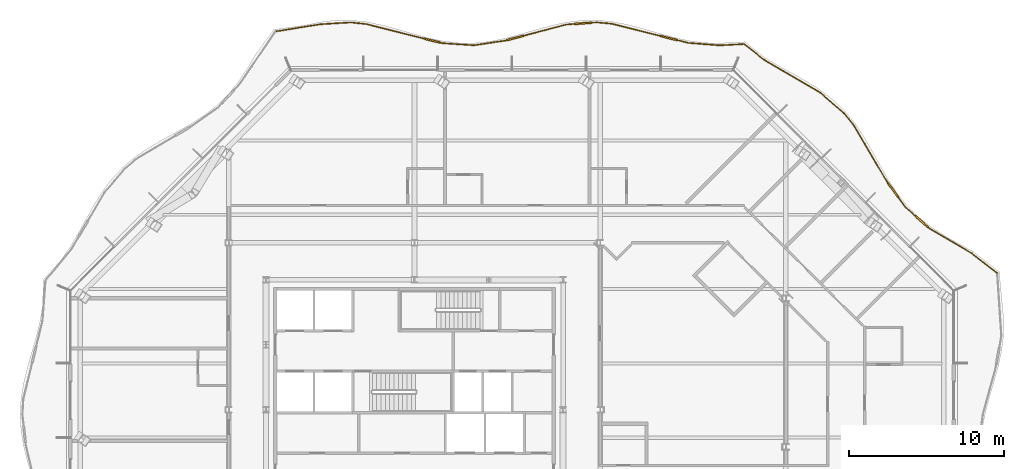
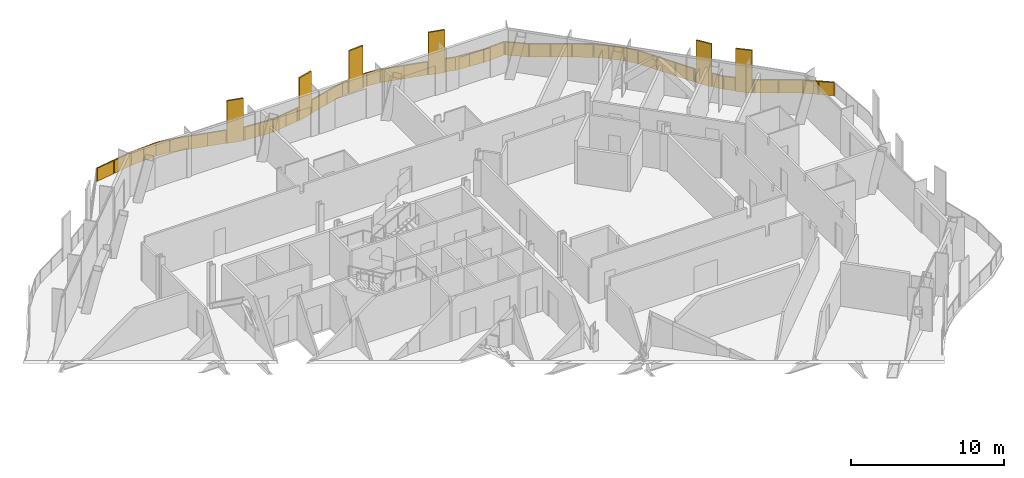
# One storey, part 19 of 19: 2 railings.
"""IFC4 building model written with IfcOpenShell, lengths in metres."""

from ifc_helpers import new_model, si_unit, direction, frame, origin, origin_2d, place, context, subcontext, project, spatial, polyline, rectangle, outline, extrude, material, type_object, element, save


model = new_model("IFC4")

# Units and contexts
model_context = context("Model", 3, precision=1e-05, world=origin(), true_north=direction((0.0, 1.0)))
body_context = subcontext(model_context, "Body", "Model", "MODEL_VIEW")
ifc_project = project(units=[si_unit("LENGTHUNIT", "METRE"), si_unit("AREAUNIT", "SQUARE_METRE"), si_unit("VOLUMEUNIT", "CUBIC_METRE"), si_unit("PLANEANGLEUNIT", "RADIAN"), si_unit("MASSUNIT", "GRAM", prefix="KILO")], contexts=[model_context])

# Site, building, storey
site_placement = place(None, origin())
site = spatial("IfcSite", under=ifc_project, at=site_placement, CompositionType="ELEMENT")
building_placement = place(site_placement, origin())
building = spatial("IfcBuilding", under=site, at=building_placement, Name="Cairn Pilgrim Tower", CompositionType="ELEMENT")
storey_placement = place(building_placement, frame((0.0, 0.0, 193.800048828125)))
storey = spatial("IfcBuildingStorey", under=building, at=storey_placement, Name="L49", CompositionType="ELEMENT", Elevation=193.800048828125)

# Railings
ifc_material = material(Name="Bronze anodised aluminium rail, posts and fin screens with laminated glass infill", Category="aluminium")
railing_type = type_object("IfcRailingType", Name="BALCONY GUARD WITH FIN SCREENS", PredefinedType="GUARDRAIL", material=ifc_material)
railing_1_placement = place(storey_placement, frame((44.85400390625, 11.240966796875, 0.0)))
element("IfcRailing", 1, at=railing_1_placement, inside=storey, type_object=railing_type, Name="Balcony guard BGF-4 with fin screens", PredefinedType="GUARDRAIL", context=body_context, shape_type="SweptSolid", body=[
    extrude(rectangle(XDim=0.050048828125, YDim=0.050048828125, at=origin_2d()), frame((0.0, 0.0, 1.0751953125), z_axis=(-0.789984986804, 0.613126186543, 0.0), x_axis=(-0.613126186543, -0.789984986804, 0.0)), (0.0, 0.0, 1.0), 2.076171875),
    extrude(rectangle(XDim=0.050048828125, YDim=0.050048828125, at=origin_2d()), frame((-1.64013671875, 1.27294921875, 1.0751953125), z_axis=(-0.862132704829, 0.506682542885, 0.0), x_axis=(-0.506682542885, -0.862132704829, 0.0)), (0.0, 0.0, 1.0), 3.160888671875),
    extrude(rectangle(XDim=1.10009765625, YDim=0.110107421875, at=origin_2d()), frame((-4.889404296875, 3.33837890625, 0.0), z_axis=(0.0, 0.0, 1.0), x_axis=(-0.748767020473, 0.662833273948, 0.0)), (0.0, 0.0, 1.0), 3.39990234375),
    extrude(rectangle(XDim=0.050048828125, YDim=0.050048828125, at=origin_2d()), frame((-4.365234375, 2.87451171875, 1.0751953125), z_axis=(-0.748767020473, 0.662833273948, 0.0), x_axis=(-0.662833273948, -0.748767020473, 0.0)), (0.0, 0.0, 1.0), 0.14990234375),
    extrude(rectangle(XDim=0.050048828125, YDim=0.050048828125, at=origin_2d()), frame((-5.30126953125, 3.703125, 1.0751953125), z_axis=(-0.748767020473, 0.662833273948, 0.0), x_axis=(-0.662833273948, -0.748767020473, 0.0)), (0.0, 0.0, 1.0), 0.821044921875),
    extrude(rectangle(XDim=1.10009765625, YDim=0.110107421875, at=origin_2d()), frame((-6.730224609375, 5.368408203125, 0.0), z_axis=(0.0, 0.0, 1.0), x_axis=(-0.587565941475, 0.809176287603, 0.0)), (0.0, 0.0, 1.0), 3.39990234375),
    extrude(rectangle(XDim=0.050048828125, YDim=0.050048828125, at=origin_2d()), frame((-5.916015625, 4.247314453125, 1.0751953125), z_axis=(-0.587565941475, 0.809176287603, 0.0), x_axis=(-0.809176287603, -0.587565941475, 0.0)), (0.0, 0.0, 1.0), 0.83544921875),
    extrude(rectangle(XDim=0.050048828125, YDim=0.050048828125, at=origin_2d()), frame((-7.05322265625, 5.8134765625, 1.0751953125), z_axis=(-0.587565941475, 0.809176287603, 0.0), x_axis=(-0.809176287603, -0.587565941475, 0.0)), (0.0, 0.0, 1.0), 0.14990234375),
    extrude(rectangle(XDim=0.050048828125, YDim=0.050048828125, at=origin_2d()), frame((-7.141357421875, 5.934814453125, 1.0751953125), z_axis=(-0.508004914675, 0.861354170284, 0.0), x_axis=(-0.861354170284, -0.508004914675, 0.0)), (0.0, 0.0, 1.0), 4.2021484375),
    extrude(rectangle(XDim=0.050048828125, YDim=0.050048828125, at=origin_2d()), frame((-9.276123046875, 9.554443359375, 1.0751953125), z_axis=(-0.631613123794, 0.775283729902, 0.0), x_axis=(-0.775283729902, -0.631613123794, 0.0)), (0.0, 0.0, 1.0), 0.999267578125),
    extrude(rectangle(XDim=0.050048828125, YDim=0.050048828125, at=origin_2d()), frame((-9.9072265625, 10.3291015625, 1.0751953125), z_axis=(-0.754203567869, 0.656640676637, 0.0), x_axis=(-0.656640676637, -0.754203567869, 0.0)), (0.0, 0.0, 1.0), 2.014404296875),
    extrude(rectangle(XDim=0.050048828125, YDim=0.050048828125, at=origin_2d()), frame((-11.426513671875, 11.65185546875, 1.0751953125), z_axis=(-0.863199532178, 0.50486291966, 0.0), x_axis=(-0.50486291966, -0.863199532178, 0.0)), (0.0, 0.0, 1.0), 4.20703125),
    extrude(rectangle(XDim=0.050048828125, YDim=0.050048828125, at=origin_2d()), frame((-15.05810546875, 13.77587890625, 1.0751953125), z_axis=(-0.782852165108, 0.622207752753, 0.0), x_axis=(-0.622207752753, -0.782852165108, 0.0)), (0.0, 0.0, 1.0), 1.58203125),
    extrude(rectangle(XDim=0.050048828125, YDim=0.050048828125, at=origin_2d()), origin(), (0.0, 0.0, 1.0), 1.050048828125),
    extrude(rectangle(XDim=0.050048828125, YDim=0.050048828125, at=origin_2d()), frame((-0.820068359375, 0.636474609375, 0.0)), (0.0, 0.0, 1.0), 1.050048828125),
    extrude(rectangle(XDim=0.050048828125, YDim=0.050048828125, at=origin_2d()), frame((-1.64013671875, 1.27294921875, 0.0)), (0.0, 0.0, 1.0), 1.050048828125),
    extrude(rectangle(XDim=0.050048828125, YDim=0.050048828125, at=origin_2d()), frame((-3.002685546875, 2.07373046875, 0.0)), (0.0, 0.0, 1.0), 1.050048828125),
    extrude(rectangle(XDim=0.050048828125, YDim=0.050048828125, at=origin_2d()), frame((-4.365234375, 2.87451171875, 0.0)), (0.0, 0.0, 1.0), 1.050048828125),
    extrude(rectangle(XDim=0.050048828125, YDim=0.050048828125, at=origin_2d()), frame((-4.458740234375, 2.957275390625, 0.0)), (0.0, 0.0, 1.0), 1.050048828125),
    extrude(rectangle(XDim=0.050048828125, YDim=0.050048828125, at=origin_2d()), frame((-5.31982421875, 3.7197265625, 0.0)), (0.0, 0.0, 1.0), 1.050048828125),
    extrude(rectangle(XDim=0.050048828125, YDim=0.050048828125, at=origin_2d()), frame((-5.916015625, 4.247314453125, 0.0)), (0.0, 0.0, 1.0), 1.050048828125),
    extrude(rectangle(XDim=0.050048828125, YDim=0.050048828125, at=origin_2d()), frame((-6.392333984375, 4.903076171875, 0.0)), (0.0, 0.0, 1.0), 1.050048828125),
    extrude(rectangle(XDim=0.050048828125, YDim=0.050048828125, at=origin_2d()), frame((-7.06787109375, 5.833740234375, 0.0)), (0.0, 0.0, 1.0), 1.050048828125),
    extrude(rectangle(XDim=0.050048828125, YDim=0.050048828125, at=origin_2d()), frame((-7.141357421875, 5.934814453125, 0.0)), (0.0, 0.0, 1.0), 1.050048828125),
    extrude(rectangle(XDim=0.050048828125, YDim=0.050048828125, at=origin_2d()), frame((-7.85302734375, 7.141357421875, 0.0)), (0.0, 0.0, 1.0), 1.050048828125),
    extrude(rectangle(XDim=0.050048828125, YDim=0.050048828125, at=origin_2d()), frame((-8.564453125, 8.347900390625, 0.0)), (0.0, 0.0, 1.0), 1.050048828125),
    extrude(rectangle(XDim=0.050048828125, YDim=0.050048828125, at=origin_2d()), frame((-9.276123046875, 9.554443359375, 0.0)), (0.0, 0.0, 1.0), 1.050048828125),
    extrude(rectangle(XDim=0.050048828125, YDim=0.050048828125, at=origin_2d()), frame((-9.9072265625, 10.3291015625, 0.0)), (0.0, 0.0, 1.0), 1.050048828125),
    extrude(rectangle(XDim=0.050048828125, YDim=0.050048828125, at=origin_2d()), frame((-10.6669921875, 10.990478515625, 0.0)), (0.0, 0.0, 1.0), 1.050048828125),
    extrude(rectangle(XDim=0.050048828125, YDim=0.050048828125, at=origin_2d()), frame((-11.426513671875, 11.65185546875, 0.0)), (0.0, 0.0, 1.0), 1.050048828125),
    extrude(rectangle(XDim=0.050048828125, YDim=0.050048828125, at=origin_2d()), frame((-12.636962890625, 12.35986328125, 0.0)), (0.0, 0.0, 1.0), 1.050048828125),
    extrude(rectangle(XDim=0.050048828125, YDim=0.050048828125, at=origin_2d()), frame((-13.84765625, 13.06787109375, 0.0)), (0.0, 0.0, 1.0), 1.050048828125),
    extrude(rectangle(XDim=0.050048828125, YDim=0.050048828125, at=origin_2d()), frame((-15.05810546875, 13.77587890625, 0.0)), (0.0, 0.0, 1.0), 1.050048828125),
    extrude(rectangle(XDim=0.050048828125, YDim=0.050048828125, at=origin_2d()), frame((-16.296630859375, 14.76025390625, 0.0)), (0.0, 0.0, 1.0), 1.050048828125),
    extrude(outline(polyline([(0.02490234375, 0.0), (1.012939453125, 0.0), (1.012939453125, 1.050048828125), (0.02490234375, 1.050048828125), (0.02490234375, 0.0)])), frame((-0.003662109375, -0.004638671875, 0.0), z_axis=(0.613126186543, 0.789984986804, 0.0), x_axis=(-0.789984986804, 0.613126186543, 0.0)), (0.0, 0.0, 1.0), 0.011962890625),
    extrude(outline(polyline([(0.02490234375, 0.0), (1.012939453125, 0.0), (1.012939453125, 1.050048828125), (0.02490234375, 1.050048828125), (0.02490234375, 0.0)])), frame((-0.82373046875, 0.6318359375, 0.0), z_axis=(0.613126186543, 0.789984986804, 0.0), x_axis=(-0.789984986804, 0.613126186543, 0.0)), (0.0, 0.0, 1.0), 0.011962890625),
    extrude(outline(polyline([(0.02490234375, 0.0), (1.555419921875, 0.0), (1.555419921875, 1.050048828125), (0.02490234375, 1.050048828125), (0.02490234375, 0.0)])), frame((-1.64306640625, 1.267822265625, 0.0), z_axis=(0.506682542885, 0.862132704829, 0.0), x_axis=(-0.862132704829, 0.506682542885, 0.0)), (0.0, 0.0, 1.0), 0.011962890625),
    extrude(outline(polyline([(0.02490234375, 0.0), (1.555419921875, 0.0), (1.555419921875, 1.050048828125), (0.02490234375, 1.050048828125), (0.02490234375, 0.0)])), frame((-3.005615234375, 2.068603515625, 0.0), z_axis=(0.506682542885, 0.862132704829, 0.0), x_axis=(-0.862132704829, 0.506682542885, 0.0)), (0.0, 0.0, 1.0), 0.011962890625),
    extrude(outline(polyline([(0.02490234375, 0.0), (0.099853515625, 0.0), (0.099853515625, 1.050048828125), (0.02490234375, 1.050048828125), (0.02490234375, 0.0)])), frame((-4.369140625, 2.8701171875, 0.0), z_axis=(0.662833273948, 0.748767020473, 0.0), x_axis=(-0.748767020473, 0.662833273948, 0.0)), (0.0, 0.0, 1.0), 0.011962890625),
    extrude(outline(polyline([(0.02490234375, 0.0), (0.77099609375, 0.0), (0.77099609375, 1.050048828125), (0.02490234375, 1.050048828125), (0.02490234375, 0.0)])), frame((-5.323974609375, 3.715087890625, 0.0), z_axis=(0.662833273948, 0.748767020473, 0.0), x_axis=(-0.748767020473, 0.662833273948, 0.0)), (0.0, 0.0, 1.0), 0.011962890625),
    extrude(outline(polyline([(0.02490234375, 0.0), (0.785400390625, 0.0), (0.785400390625, 1.050048828125), (0.02490234375, 1.050048828125), (0.02490234375, 0.0)])), frame((-5.9208984375, 4.243896484375, 0.0), z_axis=(0.809176287603, 0.587565941475, 0.0), x_axis=(-0.587565941475, 0.809176287603, 0.0)), (0.0, 0.0, 1.0), 0.011962890625),
    extrude(outline(polyline([(0.02490234375, 0.0), (0.099853515625, 0.0), (0.099853515625, 1.050048828125), (0.02490234375, 1.050048828125), (0.02490234375, 0.0)])), frame((-7.07275390625, 5.830322265625, 0.0), z_axis=(0.809176287603, 0.587565941475, 0.0), x_axis=(-0.587565941475, 0.809176287603, 0.0)), (0.0, 0.0, 1.0), 0.011962890625),
    extrude(outline(polyline([(0.02490234375, 0.0), (1.375732421875, 0.0), (1.375732421875, 1.050048828125), (0.02490234375, 1.050048828125), (0.02490234375, 0.0)])), frame((-7.146484375, 5.931884765625, 0.0), z_axis=(0.861354170284, 0.508004914675, 0.0), x_axis=(-0.508004914675, 0.861354170284, 0.0)), (0.0, 0.0, 1.0), 0.011962890625),
    extrude(outline(polyline([(0.02490234375, 0.0), (1.375732421875, 0.0), (1.375732421875, 1.050048828125), (0.02490234375, 1.050048828125), (0.02490234375, 0.0)])), frame((-7.858154296875, 7.138427734375, 0.0), z_axis=(0.861354170284, 0.508004914675, 0.0), x_axis=(-0.508004914675, 0.861354170284, 0.0)), (0.0, 0.0, 1.0), 0.011962890625),
    extrude(outline(polyline([(0.02490234375, 0.0), (1.375732421875, 0.0), (1.375732421875, 1.050048828125), (0.02490234375, 1.050048828125), (0.02490234375, 0.0)])), frame((-8.569580078125, 8.344970703125, 0.0), z_axis=(0.861354170284, 0.508004914675, 0.0), x_axis=(-0.508004914675, 0.861354170284, 0.0)), (0.0, 0.0, 1.0), 0.011962890625),
    extrude(outline(polyline([(0.02490234375, 0.0), (0.97412109375, 0.0), (0.97412109375, 1.050048828125), (0.02490234375, 1.050048828125), (0.02490234375, 0.0)])), frame((-9.28076171875, 9.55078125, 0.0), z_axis=(0.775283729902, 0.631613123794, 0.0), x_axis=(-0.631613123794, 0.775283729902, 0.0)), (0.0, 0.0, 1.0), 0.011962890625),
    extrude(outline(polyline([(0.02490234375, 0.0), (0.982177734375, 0.0), (0.982177734375, 1.050048828125), (0.02490234375, 1.050048828125), (0.02490234375, 0.0)])), frame((-9.9111328125, 10.32470703125, 0.0), z_axis=(0.656640676637, 0.754203567869, 0.0), x_axis=(-0.754203567869, 0.656640676637, 0.0)), (0.0, 0.0, 1.0), 0.011962890625),
    extrude(outline(polyline([(0.02490234375, 0.0), (0.982177734375, 0.0), (0.982177734375, 1.050048828125), (0.02490234375, 1.050048828125), (0.02490234375, 0.0)])), frame((-10.6708984375, 10.986083984375, 0.0), z_axis=(0.656640676637, 0.754203567869, 0.0), x_axis=(-0.754203567869, 0.656640676637, 0.0)), (0.0, 0.0, 1.0), 0.011962890625),
    extrude(outline(polyline([(0.02490234375, 0.0), (1.37744140625, 0.0), (1.37744140625, 1.050048828125), (0.02490234375, 1.050048828125), (0.02490234375, 0.0)])), frame((-11.429443359375, 11.646728515625, 0.0), z_axis=(0.50486291966, 0.863199532178, 0.0), x_axis=(-0.863199532178, 0.50486291966, 0.0)), (0.0, 0.0, 1.0), 0.011962890625),
    extrude(outline(polyline([(0.02490234375, 0.0), (1.37744140625, 0.0), (1.37744140625, 1.050048828125), (0.02490234375, 1.050048828125), (0.02490234375, 0.0)])), frame((-12.64013671875, 12.354736328125, 0.0), z_axis=(0.50486291966, 0.863199532178, 0.0), x_axis=(-0.863199532178, 0.50486291966, 0.0)), (0.0, 0.0, 1.0), 0.011962890625),
    extrude(outline(polyline([(0.02490234375, 0.0), (1.37744140625, 0.0), (1.37744140625, 1.050048828125), (0.02490234375, 1.050048828125), (0.02490234375, 0.0)])), frame((-13.8505859375, 13.062744140625, 0.0), z_axis=(0.50486291966, 0.863199532178, 0.0), x_axis=(-0.863199532178, 0.50486291966, 0.0)), (0.0, 0.0, 1.0), 0.011962890625),
    extrude(outline(polyline([(0.02490234375, 0.0), (1.55712890625, 0.0), (1.55712890625, 1.050048828125), (0.02490234375, 1.050048828125), (0.02490234375, 0.0)])), frame((-15.061767578125, 13.771240234375, 0.0), z_axis=(0.622207752753, 0.782852165108, 0.0), x_axis=(-0.782852165108, 0.622207752753, 0.0)), (0.0, 0.0, 1.0), 0.011962890625),
])
railing_2_placement = place(storey_placement, frame((28.51025390625, 26.03857421875, 0.0)))
element("IfcRailing", 2, at=railing_2_placement, inside=storey, type_object=railing_type, Name="Balcony guard BGF-5 with fin screens", PredefinedType="GUARDRAIL", context=body_context, shape_type="SweptSolid", body=[
    extrude(rectangle(XDim=0.050048828125, YDim=0.050048828125, at=origin_2d()), frame((0.0, 0.0, 1.0751953125), z_axis=(-0.9986186682, -0.052542892214, 0.0), x_axis=(0.052542892214, -0.9986186682, 0.0)), (0.0, 0.0, 1.0), 1.607666015625),
    extrude(rectangle(XDim=0.050048828125, YDim=0.050048828125, at=origin_2d()), frame((-1.60546875, -0.08447265625, 1.0751953125), z_axis=(-0.996844878958, 0.079374349103, 0.0), x_axis=(-0.079374349103, -0.996844878958, 0.0)), (0.0, 0.0, 1.0), 2.0146484375),
    extrude(rectangle(XDim=1.10009765625, YDim=0.110107421875, at=origin_2d()), frame((-4.89111328125, 0.393798828125, 0.0), z_axis=(0.0, 0.0, 1.0), x_axis=(-0.970296617056, 0.241918322849, 0.0)), (0.0, 0.0, 1.0), 3.39990234375),
    extrude(rectangle(XDim=0.050048828125, YDim=0.050048828125, at=origin_2d()), frame((-3.61376953125, 0.075439453125, 1.0751953125), z_axis=(-0.970296617056, 0.241918322849, 0.0), x_axis=(-0.241918322849, -0.970296617056, 0.0)), (0.0, 0.0, 1.0), 0.766357421875),
    extrude(rectangle(XDim=0.050048828125, YDim=0.050048828125, at=origin_2d()), frame((-5.4248046875, 0.52685546875, 1.0751953125), z_axis=(-0.970296617056, 0.241918322849, 0.0), x_axis=(-0.241918322849, -0.970296617056, 0.0)), (0.0, 0.0, 1.0), 3.252197265625),
    extrude(rectangle(XDim=0.050048828125, YDim=0.050048828125, at=origin_2d()), frame((-8.580322265625, 1.313720703125, 1.0751953125), z_axis=(-0.995638594988, 0.093294095047, 0.0), x_axis=(-0.093294095047, -0.995638594988, 0.0)), (0.0, 0.0, 1.0), 0.973388671875),
    extrude(rectangle(XDim=1.10009765625, YDim=0.110107421875, at=origin_2d()), frame((-10.433349609375, 1.339599609375, 0.0), z_axis=(0.0, 0.0, 1.0), x_axis=(-0.997301208337, -0.073418661451, 0.0)), (0.0, 0.0, 1.0), 3.39990234375),
    extrude(rectangle(XDim=0.050048828125, YDim=0.050048828125, at=origin_2d()), frame((-9.549560546875, 1.404541015625, 1.0751953125), z_axis=(-0.997301208337, -0.073418661451, 0.0), x_axis=(0.073418661451, -0.997301208337, 0.0)), (0.0, 0.0, 1.0), 0.336181640625),
    extrude(rectangle(XDim=0.050048828125, YDim=0.050048828125, at=origin_2d()), frame((-10.981689453125, 1.299072265625, 1.0751953125), z_axis=(-0.997301208337, -0.073418661451, 0.0), x_axis=(0.073418661451, -0.997301208337, 0.0)), (0.0, 0.0, 1.0), 0.529296875),
    extrude(rectangle(XDim=1.10009765625, YDim=0.110107421875, at=origin_2d()), frame((-14.7998046875, 0.395263671875, 0.0), z_axis=(0.0, 0.0, 1.0), x_axis=(-0.967133876349, -0.254267703844, 0.0)), (0.0, 0.0, 1.0), 3.39990234375),
    extrude(rectangle(XDim=0.050048828125, YDim=0.050048828125, at=origin_2d()), frame((-11.509521484375, 1.26025390625, 1.0751953125), z_axis=(-0.967133876349, -0.254267703844, 0.0), x_axis=(0.254267703844, -0.967133876349, 0.0)), (0.0, 0.0, 1.0), 2.85205078125),
    extrude(rectangle(XDim=0.050048828125, YDim=0.050048828125, at=origin_2d()), frame((-15.33154296875, 0.25537109375, 1.0751953125), z_axis=(-0.967133876349, -0.254267703844, 0.0), x_axis=(0.254267703844, -0.967133876349, 0.0)), (0.0, 0.0, 1.0), 0.14990234375),
    extrude(rectangle(XDim=0.050048828125, YDim=0.050048828125, at=origin_2d()), frame((-15.4765625, 0.21728515625, 1.0751953125), z_axis=(-0.989203462354, -0.146548661089, 0.0), x_axis=(0.146548661089, -0.989203462354, 0.0)), (0.0, 0.0, 1.0), 2.032470703125),
    extrude(rectangle(XDim=0.050048828125, YDim=0.050048828125, at=origin_2d()), frame((-17.487060546875, -0.08056640625, 1.0751953125), z_axis=(-0.99772377999, 0.067433365944, 0.0), x_axis=(-0.067433365944, -0.99772377999, 0.0)), (0.0, 0.0, 1.0), 2.020263671875),
    extrude(rectangle(XDim=1.10009765625, YDim=0.110107421875, at=origin_2d()), frame((-20.181884765625, 0.225341796875, 0.0), z_axis=(0.0, 0.0, 1.0), x_axis=(-0.970170537324, 0.242423448761, 0.0)), (0.0, 0.0, 1.0), 3.39990234375),
    extrude(rectangle(XDim=0.050048828125, YDim=0.050048828125, at=origin_2d()), frame((-19.502685546875, 0.0556640625, 1.0751953125), z_axis=(-0.970170537324, 0.242423448761, 0.0), x_axis=(-0.242423448761, -0.970170537324, 0.0)), (0.0, 0.0, 1.0), 0.150146484375),
    extrude(rectangle(XDim=0.050048828125, YDim=0.050048828125, at=origin_2d()), frame((-20.715576171875, 0.358642578125, 1.0751953125), z_axis=(-0.970170537324, 0.242423448761, 0.0), x_axis=(-0.242423448761, -0.970170537324, 0.0)), (0.0, 0.0, 1.0), 3.870849609375),
    extrude(rectangle(XDim=0.050048828125, YDim=0.050048828125, at=origin_2d()), frame((-24.470947265625, 1.297119140625, 1.0751953125), z_axis=(-0.994461487523, 0.105101616699, 0.0), x_axis=(-0.105101616699, -0.994461487523, 0.0)), (0.0, 0.0, 1.0), 0.9755859375),
    extrude(rectangle(XDim=0.050048828125, YDim=0.050048828125, at=origin_2d()), frame((-25.441162109375, 1.399658203125, 1.0751953125), z_axis=(-0.998109063646, -0.061467853932, 0.0), x_axis=(0.061467853932, -0.998109063646, 0.0)), (0.0, 0.0, 1.0), 1.969970703125),
    extrude(rectangle(XDim=0.050048828125, YDim=0.050048828125, at=origin_2d()), frame((-27.407470703125, 1.278564453125, 1.0751953125), z_axis=(-0.987312348881, -0.158790194113, 0.0), x_axis=(0.158790194113, -0.987312348881, 0.0)), (0.0, 0.0, 1.0), 2.88134765625),
    extrude(rectangle(XDim=0.050048828125, YDim=0.050048828125, at=origin_2d()), origin(), (0.0, 0.0, 1.0), 1.050048828125),
    extrude(rectangle(XDim=0.050048828125, YDim=0.050048828125, at=origin_2d()), frame((-1.60546875, -0.08447265625, 0.0)), (0.0, 0.0, 1.0), 1.050048828125),
    extrude(rectangle(XDim=0.050048828125, YDim=0.050048828125, at=origin_2d()), frame((-2.609619140625, -0.00439453125, 0.0)), (0.0, 0.0, 1.0), 1.050048828125),
    extrude(rectangle(XDim=0.050048828125, YDim=0.050048828125, at=origin_2d()), frame((-3.61376953125, 0.075439453125, 0.0)), (0.0, 0.0, 1.0), 1.050048828125),
    extrude(rectangle(XDim=0.050048828125, YDim=0.050048828125, at=origin_2d()), frame((-4.333251953125, 0.2548828125, 0.0)), (0.0, 0.0, 1.0), 1.050048828125),
    extrude(rectangle(XDim=0.050048828125, YDim=0.050048828125, at=origin_2d()), frame((-5.448974609375, 0.532958984375, 0.0)), (0.0, 0.0, 1.0), 1.050048828125),
    extrude(rectangle(XDim=0.050048828125, YDim=0.050048828125, at=origin_2d()), frame((-7.0146484375, 0.92333984375, 0.0)), (0.0, 0.0, 1.0), 1.050048828125),
    extrude(rectangle(XDim=0.050048828125, YDim=0.050048828125, at=origin_2d()), frame((-8.580322265625, 1.313720703125, 0.0)), (0.0, 0.0, 1.0), 1.050048828125),
    extrude(rectangle(XDim=0.050048828125, YDim=0.050048828125, at=origin_2d()), frame((-9.549560546875, 1.404541015625, 0.0)), (0.0, 0.0, 1.0), 1.050048828125),
    extrude(rectangle(XDim=0.050048828125, YDim=0.050048828125, at=origin_2d()), frame((-9.85986328125, 1.381591796875, 0.0)), (0.0, 0.0, 1.0), 1.050048828125),
    extrude(rectangle(XDim=0.050048828125, YDim=0.050048828125, at=origin_2d()), frame((-11.0068359375, 1.29736328125, 0.0)), (0.0, 0.0, 1.0), 1.050048828125),
    extrude(rectangle(XDim=0.050048828125, YDim=0.050048828125, at=origin_2d()), frame((-11.509521484375, 1.26025390625, 0.0)), (0.0, 0.0, 1.0), 1.050048828125),
    extrude(rectangle(XDim=0.050048828125, YDim=0.050048828125, at=origin_2d()), frame((-12.87646484375, 0.90087890625, 0.0)), (0.0, 0.0, 1.0), 1.050048828125),
    extrude(rectangle(XDim=0.050048828125, YDim=0.050048828125, at=origin_2d()), frame((-14.24365234375, 0.54150390625, 0.0)), (0.0, 0.0, 1.0), 1.050048828125),
    extrude(rectangle(XDim=0.050048828125, YDim=0.050048828125, at=origin_2d()), frame((-15.35595703125, 0.2490234375, 0.0)), (0.0, 0.0, 1.0), 1.050048828125),
    extrude(rectangle(XDim=0.050048828125, YDim=0.050048828125, at=origin_2d()), frame((-15.4765625, 0.21728515625, 0.0)), (0.0, 0.0, 1.0), 1.050048828125),
    extrude(rectangle(XDim=0.050048828125, YDim=0.050048828125, at=origin_2d()), frame((-16.48193359375, 0.068359375, 0.0)), (0.0, 0.0, 1.0), 1.050048828125),
    extrude(rectangle(XDim=0.050048828125, YDim=0.050048828125, at=origin_2d()), frame((-17.487060546875, -0.08056640625, 0.0)), (0.0, 0.0, 1.0), 1.050048828125),
    extrude(rectangle(XDim=0.050048828125, YDim=0.050048828125, at=origin_2d()), frame((-18.494873046875, -0.012451171875, 0.0)), (0.0, 0.0, 1.0), 1.050048828125),
    extrude(rectangle(XDim=0.050048828125, YDim=0.050048828125, at=origin_2d()), frame((-19.502685546875, 0.0556640625, 0.0)), (0.0, 0.0, 1.0), 1.050048828125),
    extrude(rectangle(XDim=0.050048828125, YDim=0.050048828125, at=origin_2d()), frame((-19.6240234375, 0.0859375, 0.0)), (0.0, 0.0, 1.0), 1.050048828125),
    extrude(rectangle(XDim=0.050048828125, YDim=0.050048828125, at=origin_2d()), frame((-20.73974609375, 0.36474609375, 0.0)), (0.0, 0.0, 1.0), 1.050048828125),
    extrude(rectangle(XDim=0.050048828125, YDim=0.050048828125, at=origin_2d()), frame((-21.9833984375, 0.675537109375, 0.0)), (0.0, 0.0, 1.0), 1.050048828125),
    extrude(rectangle(XDim=0.050048828125, YDim=0.050048828125, at=origin_2d()), frame((-23.227294921875, 0.986328125, 0.0)), (0.0, 0.0, 1.0), 1.050048828125),
    extrude(rectangle(XDim=0.050048828125, YDim=0.050048828125, at=origin_2d()), frame((-24.470947265625, 1.297119140625, 0.0)), (0.0, 0.0, 1.0), 1.050048828125),
    extrude(rectangle(XDim=0.050048828125, YDim=0.050048828125, at=origin_2d()), frame((-25.441162109375, 1.399658203125, 0.0)), (0.0, 0.0, 1.0), 1.050048828125),
    extrude(rectangle(XDim=0.050048828125, YDim=0.050048828125, at=origin_2d()), frame((-26.42431640625, 1.339111328125, 0.0)), (0.0, 0.0, 1.0), 1.050048828125),
    extrude(rectangle(XDim=0.050048828125, YDim=0.050048828125, at=origin_2d()), frame((-27.407470703125, 1.278564453125, 0.0)), (0.0, 0.0, 1.0), 1.050048828125),
    extrude(rectangle(XDim=0.050048828125, YDim=0.050048828125, at=origin_2d()), frame((-28.829833984375, 1.0498046875, 0.0)), (0.0, 0.0, 1.0), 1.050048828125),
    extrude(rectangle(XDim=0.050048828125, YDim=0.050048828125, at=origin_2d()), frame((-30.252197265625, 0.821044921875, 0.0)), (0.0, 0.0, 1.0), 1.050048828125),
    extrude(outline(polyline([(0.02490234375, 0.0), (1.582763671875, 0.0), (1.582763671875, 1.050048828125), (0.02490234375, 1.050048828125), (0.02490234375, 0.0)])), frame((0.000244140625, -0.005859375, 0.0), z_axis=(-0.052542892214, 0.9986186682, 0.0), x_axis=(-0.9986186682, -0.052542892214, 0.0)), (0.0, 0.0, 1.0), 0.011962890625),
    extrude(outline(polyline([(0.02490234375, 0.0), (0.982421875, 0.0), (0.982421875, 1.050048828125), (0.02490234375, 1.050048828125), (0.02490234375, 0.0)])), frame((-1.60595703125, -0.09033203125, 0.0), z_axis=(0.079374349103, 0.996844878958, 0.0), x_axis=(-0.996844878958, 0.079374349103, 0.0)), (0.0, 0.0, 1.0), 0.011962890625),
    extrude(outline(polyline([(0.02490234375, 0.0), (0.982421875, 0.0), (0.982421875, 1.050048828125), (0.02490234375, 1.050048828125), (0.02490234375, 0.0)])), frame((-2.610107421875, -0.010498046875, 0.0), z_axis=(0.079374349103, 0.996844878958, 0.0), x_axis=(-0.996844878958, 0.079374349103, 0.0)), (0.0, 0.0, 1.0), 0.011962890625),
    extrude(outline(polyline([(0.02490234375, 0.0), (0.71630859375, 0.0), (0.71630859375, 1.050048828125), (0.02490234375, 1.050048828125), (0.02490234375, 0.0)])), frame((-3.615234375, 0.069580078125, 0.0), z_axis=(0.241918322849, 0.970296617056, 0.0), x_axis=(-0.970296617056, 0.241918322849, 0.0)), (0.0, 0.0, 1.0), 0.011962890625),
    extrude(outline(polyline([(0.02490234375, 0.0), (1.588623046875, 0.0), (1.588623046875, 1.050048828125), (0.02490234375, 1.050048828125), (0.02490234375, 0.0)])), frame((-5.450439453125, 0.527099609375, 0.0), z_axis=(0.241918322849, 0.970296617056, 0.0), x_axis=(-0.970296617056, 0.241918322849, 0.0)), (0.0, 0.0, 1.0), 0.011962890625),
    extrude(outline(polyline([(0.02490234375, 0.0), (1.588623046875, 0.0), (1.588623046875, 1.050048828125), (0.02490234375, 1.050048828125), (0.02490234375, 0.0)])), frame((-7.01611328125, 0.91748046875, 0.0), z_axis=(0.241918322849, 0.970296617056, 0.0), x_axis=(-0.970296617056, 0.241918322849, 0.0)), (0.0, 0.0, 1.0), 0.011962890625),
    extrude(outline(polyline([(0.02490234375, 0.0), (0.948486328125, 0.0), (0.948486328125, 1.050048828125), (0.02490234375, 1.050048828125), (0.02490234375, 0.0)])), frame((-8.580810546875, 1.307861328125, 0.0), z_axis=(0.093294095047, 0.995638594988, 0.0), x_axis=(-0.995638594988, 0.093294095047, 0.0)), (0.0, 0.0, 1.0), 0.011962890625),
    extrude(outline(polyline([(0.02490234375, 0.0), (0.2861328125, 0.0), (0.2861328125, 1.050048828125), (0.02490234375, 1.050048828125), (0.02490234375, 0.0)])), frame((-9.549072265625, 1.398681640625, 0.0), z_axis=(-0.073418661451, 0.997301208337, 0.0), x_axis=(-0.997301208337, -0.073418661451, 0.0)), (0.0, 0.0, 1.0), 0.011962890625),
    extrude(outline(polyline([(0.02490234375, 0.0), (0.479248046875, 0.0), (0.479248046875, 1.050048828125), (0.02490234375, 1.050048828125), (0.02490234375, 0.0)])), frame((-11.00634765625, 1.291259765625, 0.0), z_axis=(-0.073418661451, 0.997301208337, 0.0), x_axis=(-0.997301208337, -0.073418661451, 0.0)), (0.0, 0.0, 1.0), 0.011962890625),
    extrude(outline(polyline([(0.02490234375, 0.0), (1.388427734375, 0.0), (1.388427734375, 1.050048828125), (0.02490234375, 1.050048828125), (0.02490234375, 0.0)])), frame((-11.508056640625, 1.25439453125, 0.0), z_axis=(-0.254267703844, 0.967133876349, 0.0), x_axis=(-0.967133876349, -0.254267703844, 0.0)), (0.0, 0.0, 1.0), 0.011962890625),
    extrude(outline(polyline([(0.02490234375, 0.0), (1.388427734375, 0.0), (1.388427734375, 1.050048828125), (0.02490234375, 1.050048828125), (0.02490234375, 0.0)])), frame((-12.875, 0.89501953125, 0.0), z_axis=(-0.254267703844, 0.967133876349, 0.0), x_axis=(-0.967133876349, -0.254267703844, 0.0)), (0.0, 0.0, 1.0), 0.011962890625),
    extrude(outline(polyline([(0.02490234375, 0.0), (0.099853515625, 0.0), (0.099853515625, 1.050048828125), (0.02490234375, 1.050048828125), (0.02490234375, 0.0)])), frame((-15.354248046875, 0.2431640625, 0.0), z_axis=(-0.254267703844, 0.967133876349, 0.0), x_axis=(-0.967133876349, -0.254267703844, 0.0)), (0.0, 0.0, 1.0), 0.011962890625),
    extrude(outline(polyline([(0.02490234375, 0.0), (0.9912109375, 0.0), (0.9912109375, 1.050048828125), (0.02490234375, 1.050048828125), (0.02490234375, 0.0)])), frame((-15.4755859375, 0.21142578125, 0.0), z_axis=(-0.146548661089, 0.989203462354, 0.0), x_axis=(-0.989203462354, -0.146548661089, 0.0)), (0.0, 0.0, 1.0), 0.011962890625),
    extrude(outline(polyline([(0.02490234375, 0.0), (0.9912109375, 0.0), (0.9912109375, 1.050048828125), (0.02490234375, 1.050048828125), (0.02490234375, 0.0)])), frame((-16.48095703125, 0.0625, 0.0), z_axis=(-0.146548661089, 0.989203462354, 0.0), x_axis=(-0.989203462354, -0.146548661089, 0.0)), (0.0, 0.0, 1.0), 0.011962890625),
    extrude(outline(polyline([(0.02490234375, 0.0), (0.985107421875, 0.0), (0.985107421875, 1.050048828125), (0.02490234375, 1.050048828125), (0.02490234375, 0.0)])), frame((-17.487548828125, -0.08642578125, 0.0), z_axis=(0.067433365944, 0.99772377999, 0.0), x_axis=(-0.99772377999, 0.067433365944, 0.0)), (0.0, 0.0, 1.0), 0.011962890625),
    extrude(outline(polyline([(0.02490234375, 0.0), (0.985107421875, 0.0), (0.985107421875, 1.050048828125), (0.02490234375, 1.050048828125), (0.02490234375, 0.0)])), frame((-18.495361328125, -0.018310546875, 0.0), z_axis=(0.067433365944, 0.99772377999, 0.0), x_axis=(-0.99772377999, 0.067433365944, 0.0)), (0.0, 0.0, 1.0), 0.011962890625),
    extrude(outline(polyline([(0.02490234375, 0.0), (0.10009765625, 0.0), (0.10009765625, 1.050048828125), (0.02490234375, 1.050048828125), (0.02490234375, 0.0)])), frame((-19.504150390625, 0.0498046875, 0.0), z_axis=(0.242423448761, 0.970170537324, 0.0), x_axis=(-0.970170537324, 0.242423448761, 0.0)), (0.0, 0.0, 1.0), 0.011962890625),
    extrude(outline(polyline([(0.02490234375, 0.0), (1.2568359375, 0.0), (1.2568359375, 1.050048828125), (0.02490234375, 1.050048828125), (0.02490234375, 0.0)])), frame((-20.7412109375, 0.35888671875, 0.0), z_axis=(0.242423448761, 0.970170537324, 0.0), x_axis=(-0.970170537324, 0.242423448761, 0.0)), (0.0, 0.0, 1.0), 0.011962890625),
    extrude(outline(polyline([(0.02490234375, 0.0), (1.2568359375, 0.0), (1.2568359375, 1.050048828125), (0.02490234375, 1.050048828125), (0.02490234375, 0.0)])), frame((-21.98486328125, 0.669677734375, 0.0), z_axis=(0.242423448761, 0.970170537324, 0.0), x_axis=(-0.970170537324, 0.242423448761, 0.0)), (0.0, 0.0, 1.0), 0.011962890625),
    extrude(outline(polyline([(0.02490234375, 0.0), (1.2568359375, 0.0), (1.2568359375, 1.050048828125), (0.02490234375, 1.050048828125), (0.02490234375, 0.0)])), frame((-23.228759765625, 0.98046875, 0.0), z_axis=(0.242423448761, 0.970170537324, 0.0), x_axis=(-0.970170537324, 0.242423448761, 0.0)), (0.0, 0.0, 1.0), 0.011962890625),
    extrude(outline(polyline([(0.02490234375, 0.0), (0.95068359375, 0.0), (0.95068359375, 1.050048828125), (0.02490234375, 1.050048828125), (0.02490234375, 0.0)])), frame((-24.4716796875, 1.291259765625, 0.0), z_axis=(0.105101616699, 0.994461487523, 0.0), x_axis=(-0.994461487523, 0.105101616699, 0.0)), (0.0, 0.0, 1.0), 0.011962890625),
    extrude(outline(polyline([(0.02490234375, 0.0), (0.9599609375, 0.0), (0.9599609375, 1.050048828125), (0.02490234375, 1.050048828125), (0.02490234375, 0.0)])), frame((-25.440673828125, 1.393798828125, 0.0), z_axis=(-0.061467853932, 0.998109063646, 0.0), x_axis=(-0.998109063646, -0.061467853932, 0.0)), (0.0, 0.0, 1.0), 0.011962890625),
    extrude(outline(polyline([(0.02490234375, 0.0), (0.9599609375, 0.0), (0.9599609375, 1.050048828125), (0.02490234375, 1.050048828125), (0.02490234375, 0.0)])), frame((-26.423828125, 1.333251953125, 0.0), z_axis=(-0.061467853932, 0.998109063646, 0.0), x_axis=(-0.998109063646, -0.061467853932, 0.0)), (0.0, 0.0, 1.0), 0.011962890625),
    extrude(outline(polyline([(0.02490234375, 0.0), (1.41552734375, 0.0), (1.41552734375, 1.050048828125), (0.02490234375, 1.050048828125), (0.02490234375, 0.0)])), frame((-27.406494140625, 1.272705078125, 0.0), z_axis=(-0.158790194113, 0.987312348881, 0.0), x_axis=(-0.987312348881, -0.158790194113, 0.0)), (0.0, 0.0, 1.0), 0.011962890625),
    extrude(outline(polyline([(0.02490234375, 0.0), (1.41552734375, 0.0), (1.41552734375, 1.050048828125), (0.02490234375, 1.050048828125), (0.02490234375, 0.0)])), frame((-28.828857421875, 1.0439453125, 0.0), z_axis=(-0.158790194113, 0.987312348881, 0.0), x_axis=(-0.987312348881, -0.158790194113, 0.0)), (0.0, 0.0, 1.0), 0.011962890625),
])

save(model, "model.ifc")
